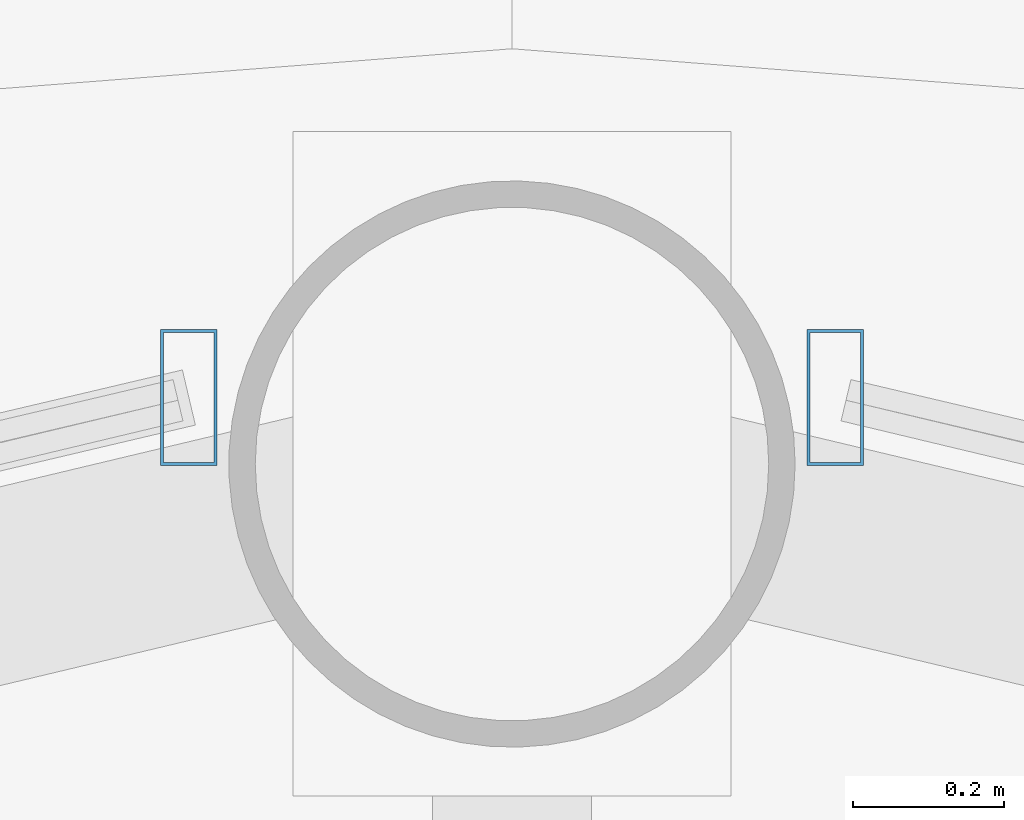
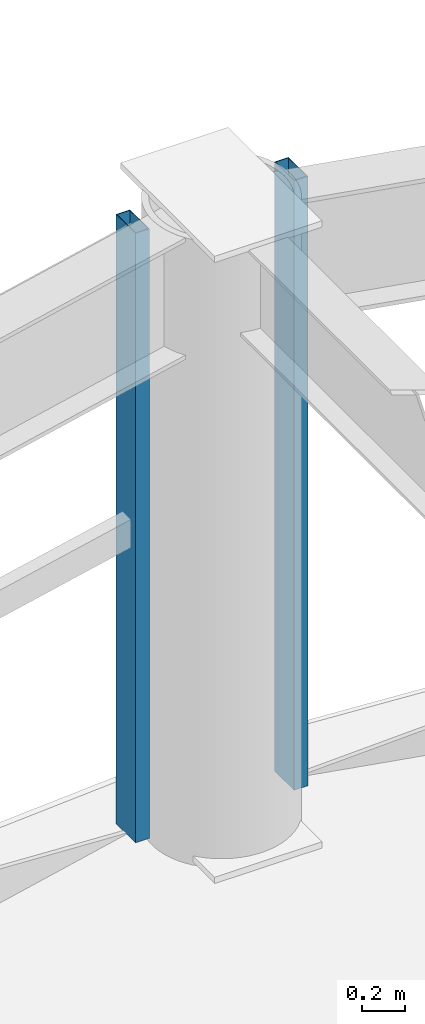
# One storey, part 18 of 31: 2 members, 2 elements without a shape of their own.
"""IFC4 building model written with IfcOpenShell, lengths in metres."""

from ifc_helpers import new_model, si_unit, direction, frame, origin, origin_2d, place, context, subcontext, project, spatial, hollow_rectangle, extrude, material, layer, layer_set, material_profile, profile_set, type_object, element, aggregate, save


model = new_model("IFC4")

# Units and contexts
model_context = context("Model", 3, precision=1e-05, world=origin(), true_north=direction((0.0, 1.0)))
body_context = subcontext(model_context, "Body", "Model", "MODEL_VIEW")
ifc_project = project(units=[si_unit("LENGTHUNIT", "METRE"), si_unit("AREAUNIT", "SQUARE_METRE"), si_unit("VOLUMEUNIT", "CUBIC_METRE"), si_unit("PLANEANGLEUNIT", "RADIAN"), si_unit("MASSUNIT", "GRAM", prefix="KILO")], contexts=[model_context])

# Site, building, storey
site_placement = place(None, origin())
site = spatial("IfcSite", under=ifc_project, at=site_placement, CompositionType="ELEMENT")
building_placement = place(site_placement, origin())
building = spatial("IfcBuilding", under=site, at=building_placement, Name="Vantalir Tower", CompositionType="ELEMENT")
storey_placement = place(building_placement, frame((0.0, 0.0, 115.949951171875)))
storey = spatial("IfcBuildingStorey", under=building, at=storey_placement, Name="L28", CompositionType="ELEMENT", Elevation=115.949951171875)

# Curtain wall, member
ifc_material_1 = material(Name="Champagne-silver PVDF aluminium and double-silver Low-E glass", Category="aluminium")
ifc_layer = layer(ifc_material_1, 0.199951171875)
ifc_layer_set = layer_set([ifc_layer], Name="Champagne-silver PVDF aluminium and double-silver Low-E glass")
curtain_wall_type = type_object("IfcCurtainWallType", Name="CW-DIAMOND-Z2", PredefinedType="USERDEFINED", material=ifc_layer_set)
curtain_wall_1_placement = place(storey_placement, origin())
curtain_wall_1 = element("IfcCurtainWall", 1, at=curtain_wall_1_placement, inside=storey, type_object=curtain_wall_type, Name="L28 Quilted Pyramid-Diamond Curtain Wall S03", ObjectType="UNITISED CURTAIN WALL", PredefinedType="USERDEFINED")
ifc_material_2 = material(Name="Champagne-silver PVDF aluminium 6063-T6", Category="aluminium")
ifc_material_profile = material_profile(ifc_material_2, hollow_rectangle(XDim=0.074951171875, YDim=0.179931640625, WallThickness=0.00390625, at=origin_2d()), Name="Champagne-silver PVDF aluminium 6063-T6")
ifc_profile_set = profile_set([ifc_material_profile], Name="Champagne-silver PVDF aluminium 6063-T6")
member_type = type_object("IfcMemberType", Name="CWM-180x75", PredefinedType="MULLION", material=ifc_profile_set)
member_1_placement = place(storey_placement, frame((31.927978515625, 47.654052734375, 0.045166015625), z_axis=(0.0, 0.0, 1.0), x_axis=(1.0, 0.0, 0.0)))
member_1 = element("IfcMember", 2, at=member_1_placement, type_object=member_type, Name="CW-L28-S03 Mullion 2", PredefinedType="MULLION", context=body_context, shape_type="SweptSolid", body=[
    extrude(hollow_rectangle(XDim=0.074951171875, YDim=0.179931640625, WallThickness=0.00390625, at=origin_2d()), origin(), (0.0, 0.0, 1.0), 3.47998046875),
])
aggregate(curtain_wall_1, [member_1])

curtain_wall_2_placement = place(storey_placement, origin())
curtain_wall_2 = element("IfcCurtainWall", 3, at=curtain_wall_2_placement, inside=storey, type_object=curtain_wall_type, Name="L28 Quilted Pyramid-Diamond Curtain Wall S04", ObjectType="UNITISED CURTAIN WALL", PredefinedType="USERDEFINED")
member_2_placement = place(storey_placement, frame((31.072021484375, 47.654052734375, 0.045166015625), z_axis=(0.0, 0.0, 1.0), x_axis=(1.0, 0.0, 0.0)))
member_2 = element("IfcMember", 4, at=member_2_placement, type_object=member_type, Name="CW-L28-S04 Mullion 1", PredefinedType="MULLION", context=body_context, shape_type="SweptSolid", body=[
    extrude(hollow_rectangle(XDim=0.074951171875, YDim=0.179931640625, WallThickness=0.00390625, at=origin_2d()), origin(), (0.0, 0.0, 1.0), 3.47998046875),
])
aggregate(curtain_wall_2, [member_2])

save(model, "model.ifc")
